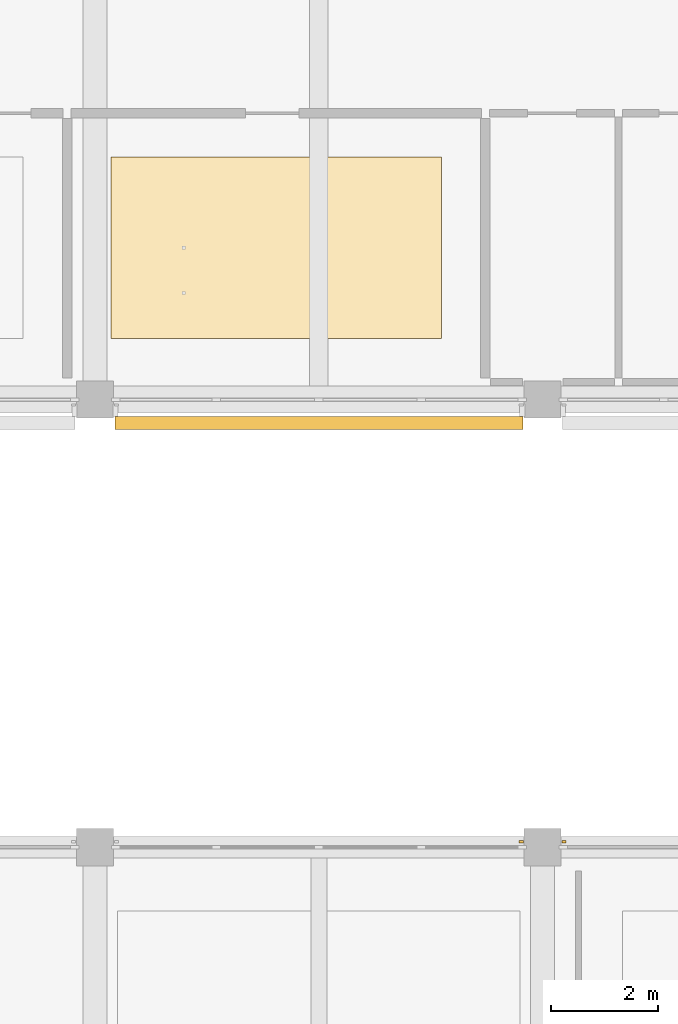
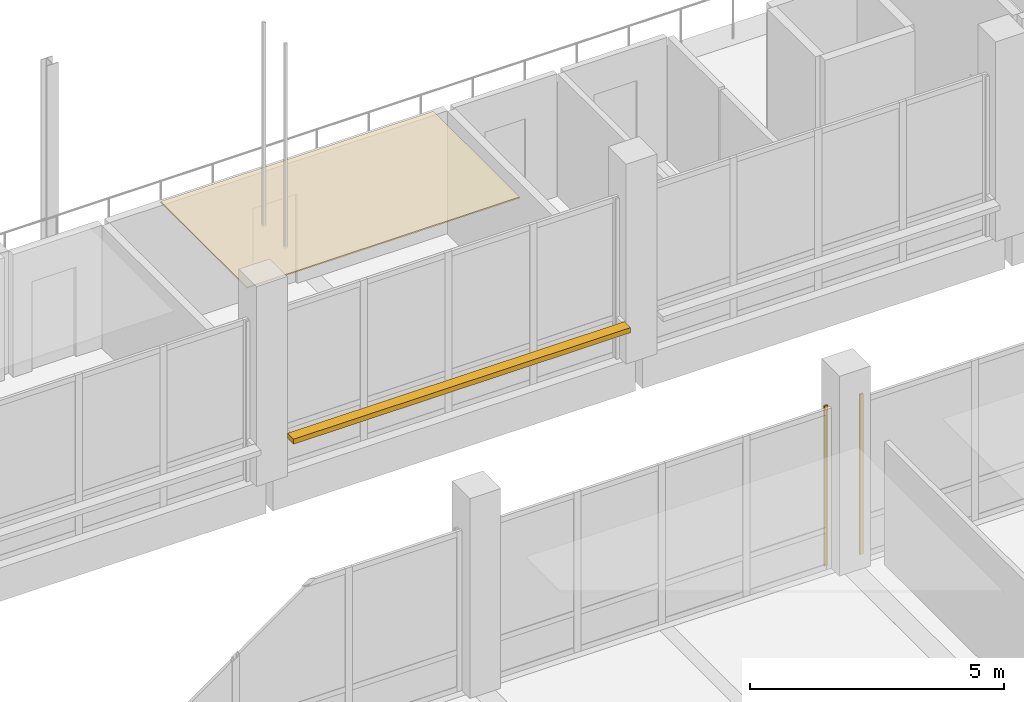
# One storey, part 118 of 128: 3 coverings, 1 shading device.
"""IFC4 building model written with IfcOpenShell, lengths in metres."""

from ifc_helpers import new_model, si_unit, direction, frame, origin, origin_2d, place, context, subcontext, project, spatial, polyline, rectangle, outline, extrude, material, layer, layer_set, type_object, element, save


model = new_model("IFC4")

# Units and contexts
model_context = context("Model", 3, precision=1e-05, world=origin(), true_north=direction((0.0, 1.0)))
body_context = subcontext(model_context, "Body", "Model", "MODEL_VIEW")
ifc_project = project(units=[si_unit("LENGTHUNIT", "METRE"), si_unit("AREAUNIT", "SQUARE_METRE"), si_unit("VOLUMEUNIT", "CUBIC_METRE"), si_unit("PLANEANGLEUNIT", "RADIAN"), si_unit("MASSUNIT", "GRAM", prefix="KILO")], contexts=[model_context])

# Site, building, storey
site_placement = place(None, origin())
site = spatial("IfcSite", under=ifc_project, at=site_placement, CompositionType="ELEMENT")
building_placement = place(site_placement, origin())
building = spatial("IfcBuilding", under=site, at=building_placement, Name="Telukmera Botanical Conservatory", CompositionType="ELEMENT")
storey_placement = place(building_placement, frame((0.0, 0.0, 5.39990234375)))
storey = spatial("IfcBuildingStorey", under=building, at=storey_placement, Name="L01", CompositionType="ELEMENT", Elevation=5.39990234375)

# Coverings
ifc_material_1 = material(Name="Mineral fibre acoustic ceiling")
ifc_layer_1 = layer(ifc_material_1, 0.030029296875)
ifc_layer_set_1 = layer_set([ifc_layer_1], Name="Mineral fibre acoustic ceiling")
covering_type_1 = type_object("IfcCoveringType", Name="COV-CEIL-30", PredefinedType="CEILING", material=ifc_layer_set_1)
covering_placement = place(storey_placement, frame((0.0, 0.0, 3.6201171875)))
element("IfcCovering", 1, at=covering_placement, inside=storey, type_object=covering_type_1, Name="L01 Sound Control Booth Suspended Acoustic Ceiling", PredefinedType="CEILING", context=body_context, shape_type="SweptSolid", body=[
    extrude(outline(polyline([(17.10009765625, 84.35009765625), (23.300048828125, 84.35009765625), (23.300048828125, 87.75), (17.10009765625, 87.75), (17.10009765625, 84.35009765625)])), origin(), (0.0, 0.0, 1.0), 0.030029296875),
])
ifc_material_2 = material(Name="Granite-faced precast concrete C40/50", Category="masonry")
ifc_layer_2 = layer(ifc_material_2, 0.0400390625)
ifc_layer_set_2 = layer_set([ifc_layer_2], Name="Granite-faced precast concrete C40/50")
covering_type_2 = type_object("IfcCoveringType", Name="Granite Precast Column Pier Reveal Casing", PredefinedType="CLADDING", material=ifc_layer_set_2)
for number, where, z_axis, x_axis, name in (
    (2, (24.798095703125, 74.89990234375, 0.0), (0.0, 0.0, 1.0), (1.0, 0.0, 0.0), "Granite Pier Reveal V3:L01:N2 R"),
    (3, (25.60205078125, 74.89990234375, 0.0), (0.0, 0.0, 1.0), (1.0, 0.0, 0.0), "Granite Pier Reveal V3:L01:N3 L"),
):
    element("IfcCovering", number, at=place(storey_placement, frame(where, z_axis=z_axis, x_axis=x_axis)), inside=storey, type_object=covering_type_2, Name=name, PredefinedType="CLADDING", context=body_context, shape_type="SweptSolid", body=[
        extrude(rectangle(XDim=0.080078125, YDim=0.0400390625, at=origin_2d()), origin(), (0.0, 0.0, 1.0), 3.85009765625),
    ])

# Shading device
ifc_material_3 = material(Name="Perforated terracotta-anodised aluminium 6063-T6", Category="masonry")
ifc_layer_3 = layer(ifc_material_3, 0.044921875)
ifc_layer_set_3 = layer_set([ifc_layer_3], Name="Perforated terracotta-anodised aluminium 6063-T6")
shading_device_type = type_object("IfcShadingDeviceType", Name="Perforated Terracotta Aluminium Monsoon Brise Soleil", PredefinedType="JALOUSIE", material=ifc_layer_set_3)
shading_device_placement = place(storey_placement, frame((21.0, 82.760009765625, 0.89013671875), z_axis=(0.0, 0.0, 1.0), x_axis=(1.0, 0.0, 0.0)))
element("IfcShadingDevice", 4, at=shading_device_placement, inside=storey, type_object=shading_device_type, Name="Monsoon Shading BS01 V2:L01:S2", PredefinedType="JALOUSIE", context=body_context, shape_type="SweptSolid", body=[
    extrude(rectangle(XDim=7.656005859375, YDim=0.239990234375, at=origin_2d()), origin(), (0.0, 0.0, 1.0), 0.1201171875),
])

save(model, "model.ifc")
